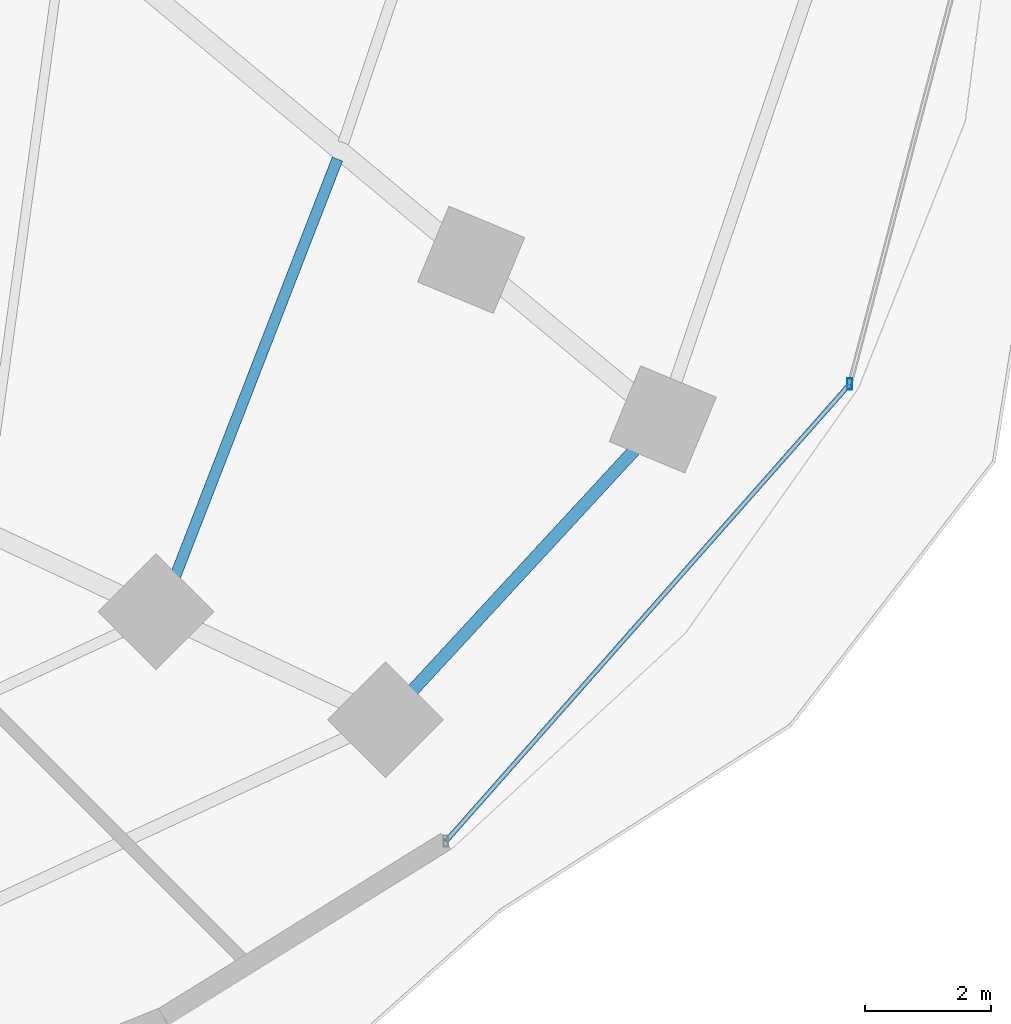
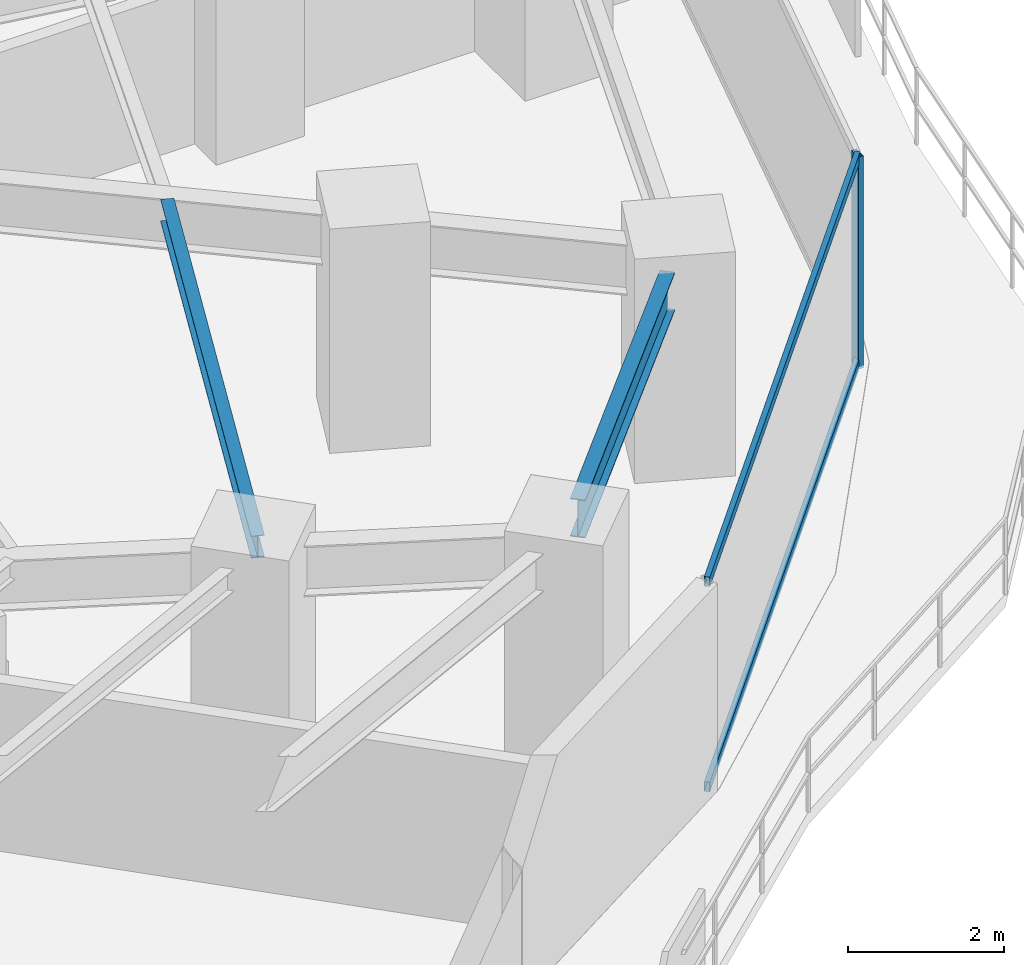
# One storey, part 14 of 34: 3 members, 2 beams, 1 element without a shape of its own.
"""IFC4 building model written with IfcOpenShell, lengths in metres."""

from ifc_helpers import new_model, si_unit, direction, frame, origin, origin_2d, place, context, subcontext, project, spatial, hollow_rectangle, i_section, extrude, material, material_profile, profile_set, type_object, element, aggregate, save


model = new_model("IFC4")

# Units and contexts
model_context = context("Model", 3, precision=1e-05, world=origin(), true_north=direction((0.0, 1.0)))
body_context = subcontext(model_context, "Body", "Model", "MODEL_VIEW")
ifc_project = project(units=[si_unit("LENGTHUNIT", "METRE"), si_unit("AREAUNIT", "SQUARE_METRE"), si_unit("VOLUMEUNIT", "CUBIC_METRE"), si_unit("PLANEANGLEUNIT", "RADIAN"), si_unit("MASSUNIT", "GRAM", prefix="KILO")], contexts=[model_context])

# Site, building, storey
site_placement = place(None, origin())
site = spatial("IfcSite", under=ifc_project, at=site_placement, CompositionType="ELEMENT")
building_placement = place(site_placement, origin())
building = spatial("IfcBuilding", under=site, at=building_placement, Name="Vorneva Point Tower", CompositionType="ELEMENT")
storey_placement = place(building_placement, frame((0.0, 0.0, 27.5)))
storey = spatial("IfcBuildingStorey", under=building, at=storey_placement, Name="L06", CompositionType="ELEMENT", Elevation=27.5)

# Beams
ifc_material_1 = material(Name="Steel S355", Category="steel")
ifc_material_profile_1 = material_profile(ifc_material_1, i_section(OverallWidth=0.174072265625, OverallDepth=0.345947265625, WebThickness=0.006103515625, FlangeThickness=0.009033203125, at=origin_2d()), Name="35B1")
ifc_profile_set_1 = profile_set([ifc_material_profile_1], Name="Steel S355")
beam_type_1 = type_object("IfcBeamType", Name="BM-SEC-35B1", PredefinedType="BEAM", material=ifc_profile_set_1)
beam_1_placement = place(storey_placement, frame((54.422119140625, 13.931884765625, 3.06689453125), z_axis=(0.36226482906, 0.932075208138, 0.0), x_axis=(-0.932075208138, 0.36226482906, 0.0)))
element("IfcBeam", 1, at=beam_1_placement, inside=storey, type_object=beam_type_1, Name="L06 Secondary Floor Beam 1.15", PredefinedType="BEAM", context=body_context, shape_type="SweptSolid", body=[
    extrude(i_section(OverallWidth=0.174072265625, OverallDepth=0.345947265625, WebThickness=0.006103515625, FlangeThickness=0.009033203125, at=origin_2d()), origin(), (0.0, 0.0, 1.0), 7.597900390625),
])
ifc_material_profile_2 = material_profile(ifc_material_1, i_section(OverallWidth=0.198974609375, OverallDepth=0.595947265625, WebThickness=0.010009765625, FlangeThickness=0.014892578125, at=origin_2d()), Name="60B1")
ifc_profile_set_2 = profile_set([ifc_material_profile_2], Name="Steel S355")
beam_type_2 = type_object("IfcBeamType", Name="BM-SPN-60B1", PredefinedType="SPANDREL", material=ifc_profile_set_2)
beam_2_placement = place(storey_placement, frame((58.369384765625, 12.5908203125, 2.94189453125), z_axis=(0.678317071649, 0.734769317752, 0.0), x_axis=(-0.734769317752, 0.678317071649, 0.0)))
element("IfcBeam", 2, at=beam_2_placement, inside=storey, type_object=beam_type_2, Name="L06 Perimeter Spandrel Ring Beam 15", PredefinedType="SPANDREL", context=body_context, shape_type="SweptSolid", body=[
    extrude(i_section(OverallWidth=0.198974609375, OverallDepth=0.595947265625, WebThickness=0.010009765625, FlangeThickness=0.014892578125, at=origin_2d()), origin(), (0.0, 0.0, 1.0), 5.211181640625),
])

# Curtain wall, members
ifc_material_2 = material(Name="Pale anodised aluminium", Category="aluminium")
curtain_wall_type = type_object("IfcCurtainWallType", Name="CW-HTL-SYS", PredefinedType="NOTDEFINED", material=ifc_material_2)
curtain_wall_placement = place(storey_placement, origin())
curtain_wall = element("IfcCurtainWall", 3, at=curtain_wall_placement, inside=storey, type_object=curtain_wall_type, Name="L06 Unitised Curtain Wall CW-L06-R01", PredefinedType="NOTDEFINED")
ifc_material_profile_3 = material_profile(ifc_material_2, hollow_rectangle(XDim=0.074951171875, YDim=0.179931640625, WallThickness=0.00390625, at=origin_2d()), Name="AL-MUL 180x75x4")
ifc_profile_set_3 = profile_set([ifc_material_profile_3], Name="Pale anodised aluminium")
member_type_1 = type_object("IfcMemberType", Name="CW-MUL-180", PredefinedType="MULLION", material=ifc_profile_set_3)
member_1_placement = place(storey_placement, frame((65.300537109375, 17.447021484375, -0.0400390625), z_axis=(0.0, 0.0, 1.0), x_axis=(1.0, 0.0, 0.0)))
member_1 = element("IfcMember", 4, at=member_1_placement, type_object=member_type_1, Name="CW-L06-R01 Mullion 02", PredefinedType="MULLION", context=body_context, shape_type="SweptSolid", body=[
    extrude(hollow_rectangle(XDim=0.074951171875, YDim=0.179931640625, WallThickness=0.00390625, at=origin_2d()), origin(), (0.0, 0.0, 1.0), 3.31005859375),
])
ifc_material_profile_4 = material_profile(ifc_material_2, hollow_rectangle(XDim=0.074951171875, YDim=0.14990234375, WallThickness=0.00390625, at=origin_2d()), Name="AL-TRN 150x75x4")
ifc_profile_set_4 = profile_set([ifc_material_profile_4], Name="Pale anodised aluminium")
member_type_2 = type_object("IfcMemberType", Name="CW-TRN-150", PredefinedType="USERDEFINED", material=ifc_profile_set_4)
member_2_placement = place(storey_placement, frame((58.89501953125, 10.1962890625, 0.02001953125), z_axis=(0.662075539029, 0.749437109182, 0.0), x_axis=(-0.749437109182, 0.662075539029, 0.0)))
member_2 = element("IfcMember", 5, at=member_2_placement, type_object=member_type_2, Name="CW-L06-R01 Transom 01.1", ObjectType="TRANSOM", PredefinedType="USERDEFINED", context=body_context, shape_type="SweptSolid", body=[
    extrude(hollow_rectangle(XDim=0.074951171875, YDim=0.14990234375, WallThickness=0.00390625, at=origin_2d()), origin(), (0.0, 0.0, 1.0), 9.6748046875),
])
member_3_placement = place(storey_placement, frame((58.89501953125, 10.1962890625, 3.219970703125), z_axis=(0.662075539029, 0.749437109182, 0.0), x_axis=(-0.749437109182, 0.662075539029, 0.0)))
member_3 = element("IfcMember", 6, at=member_3_placement, type_object=member_type_2, Name="CW-L06-R01 Transom 01.2", ObjectType="TRANSOM", PredefinedType="USERDEFINED", context=body_context, shape_type="SweptSolid", body=[
    extrude(hollow_rectangle(XDim=0.074951171875, YDim=0.14990234375, WallThickness=0.00390625, at=origin_2d()), origin(), (0.0, 0.0, 1.0), 9.6748046875),
])
aggregate(curtain_wall, [member_1, member_2, member_3])

save(model, "model.ifc")
